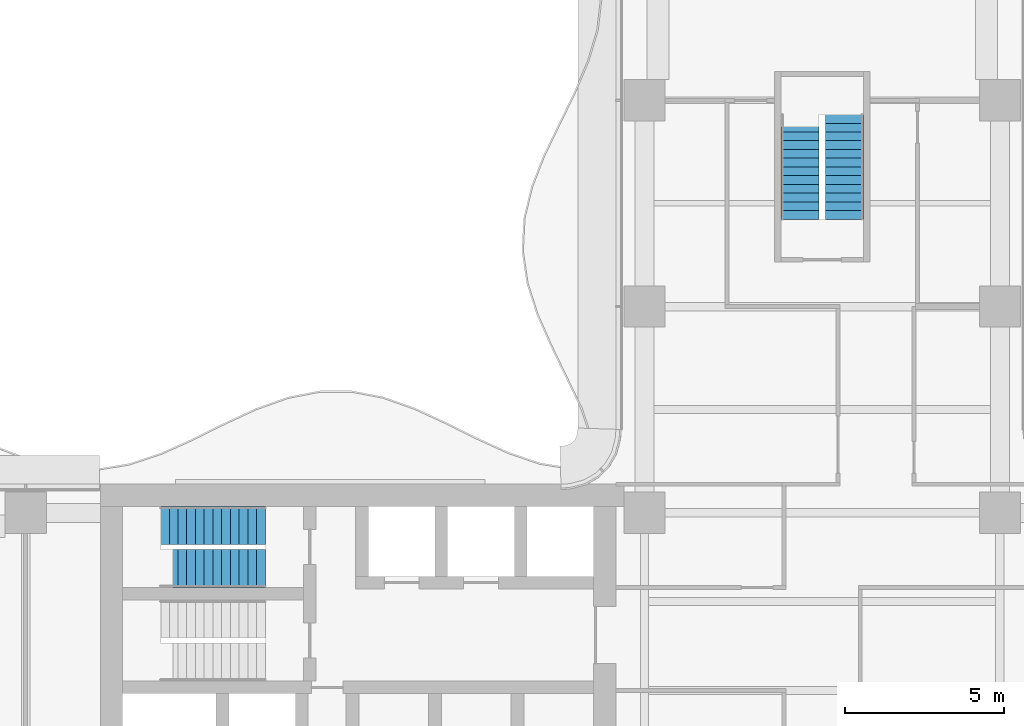
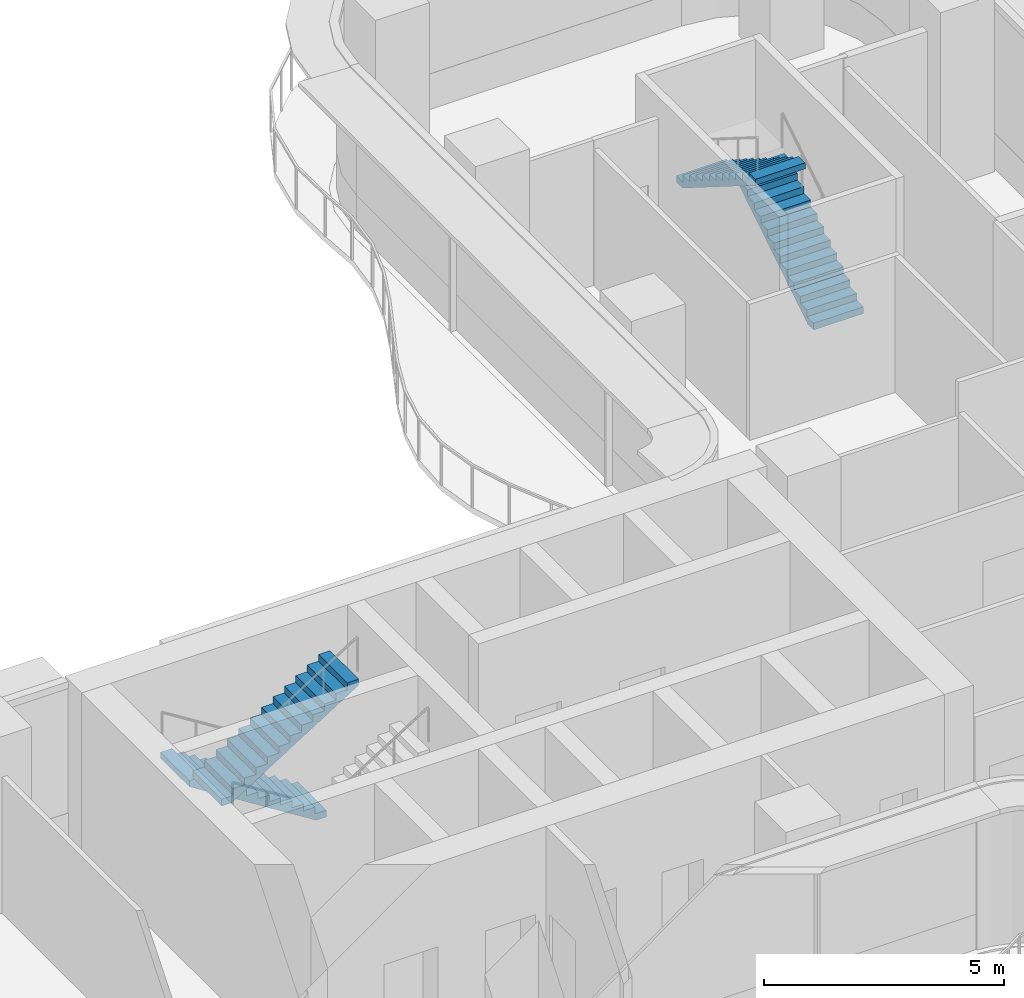
# One storey, part 19 of 21: 4 stair flights, 2 elements without a shape of their own.
"""IFC4 building model written with IfcOpenShell, lengths in metres."""

from ifc_helpers import new_model, si_unit, direction, frame, origin, place, context, subcontext, project, spatial, polyline, outline, extrude, source, transform, mapped, material, type_object, element, aggregate, save


model = new_model("IFC4")

# Units and contexts
model_context = context("Model", 3, precision=1e-05, world=origin(), true_north=direction((0.0, 1.0)))
body_context = subcontext(model_context, "Body", "Model", "MODEL_VIEW")
ifc_project = project(units=[si_unit("LENGTHUNIT", "METRE"), si_unit("AREAUNIT", "SQUARE_METRE"), si_unit("VOLUMEUNIT", "CUBIC_METRE"), si_unit("PLANEANGLEUNIT", "RADIAN"), si_unit("MASSUNIT", "GRAM", prefix="KILO")], contexts=[model_context])

# Site, building, storey
site_placement = place(None, origin())
site = spatial("IfcSite", under=ifc_project, at=site_placement, CompositionType="ELEMENT")
building_placement = place(site_placement, origin())
building = spatial("IfcBuilding", under=site, at=building_placement, Name="Trellis Farm Tower", CompositionType="ELEMENT")
storey_placement = place(building_placement, frame((0.0, 0.0, 102.0)))
storey = spatial("IfcBuildingStorey", under=building, at=storey_placement, Name="L21", CompositionType="ELEMENT", Elevation=102.0)

# Stair, stair flights
ifc_material = material(Name="Concrete C50/60", Category="concrete")
stair_type = type_object("IfcStairType", Name="CORE EXIT STAIR 26 RISERS 173 MM", PredefinedType="HALF_TURN_STAIR", material=ifc_material)
placement = place(storey_placement, origin())
stair_1 = element("IfcStair", 1, at=placement, inside=storey, type_object=stair_type, Name="Exit stair N", PredefinedType="HALF_TURN_STAIR")
stair_flight_type = type_object("IfcStairFlightType", Name="STAIR FLIGHT 13 RISERS 173 MM", PredefinedType="STRAIGHT", material=ifc_material)
shared_shape = source(origin(), body_context, "Body", "SweptSolid", [
    extrude(outline(polyline([(0.0, 0.0), (0.0, 0.173095703125), (0.27490234375, 0.173095703125), (0.27490234375, 0.34619140625), (0.550048828125, 0.34619140625), (0.550048828125, 0.519287109375), (0.824951171875, 0.519287109375), (0.824951171875, 0.6923828125), (1.10009765625, 0.6923828125), (1.10009765625, 0.865478515625), (1.375, 0.865478515625), (1.375, 1.03857421875), (1.64990234375, 1.03857421875), (1.64990234375, 1.21142578125), (1.925048828125, 1.21142578125), (1.925048828125, 1.384521484375), (2.199951171875, 1.384521484375), (2.199951171875, 1.5576171875), (2.47509765625, 1.5576171875), (2.47509765625, 1.730712890625), (2.75, 1.730712890625), (2.75, 1.90380859375), (3.02490234375, 1.90380859375), (3.02490234375, 2.076904296875), (3.300048828125, 2.076904296875), (3.300048828125, 2.25), (3.300048828125, 1.92333984375), (0.243896484375, 0.0), (0.0, 0.0)])), frame((0.0, 0.60009765625, 0.0), z_axis=(0.0, -1.0, 0.0), x_axis=(1.0, 0.0, 0.0)), (0.0, 0.0, 1.0), 1.199951171875),
])
stair_flight_1_placement = place(storey_placement, frame((0.699951171875, 14.85009765625, 0.0), z_axis=(0.0, 0.0, 1.0), x_axis=(0.0, 1.0, 0.0)))
stair_flight_1 = element("IfcStairFlight", 2, at=stair_flight_1_placement, type_object=stair_flight_type, Name="STN flight 1", NumberOfRisers=13, NumberOfTreads=12, PredefinedType="STRAIGHT", RiserHeight=0.173076923, TreadLength=0.275, context=body_context, shape_type="MappedRepresentation", body=[
    mapped(shared_shape, transform((0.0, 0.0, 0.0))),
])
stair_flight_2_placement = place(storey_placement, frame((-0.699951171875, 18.14990234375, 2.25), z_axis=(0.0, 0.0, 1.0), x_axis=(0.0, -1.0, 0.0)))
stair_flight_2 = element("IfcStairFlight", 3, at=stair_flight_2_placement, type_object=stair_flight_type, Name="STN flight 2", NumberOfRisers=13, NumberOfTreads=12, PredefinedType="STRAIGHT", RiserHeight=0.173076923, TreadLength=0.275, context=body_context, shape_type="MappedRepresentation", body=[
    mapped(shared_shape, transform((0.0, 0.0, 0.0))),
])
aggregate(stair_1, [stair_flight_1, stair_flight_2])

stair_2 = element("IfcStair", 4, at=placement, inside=storey, type_object=stair_type, Name="Exit stair W1", PredefinedType="HALF_TURN_STAIR")
stair_flight_3_placement = place(storey_placement, frame((-17.550048828125, 5.199951171875, 0.0), z_axis=(0.0, 0.0, 1.0), x_axis=(-1.0, 0.0, 0.0)))
stair_flight_3 = element("IfcStairFlight", 5, at=stair_flight_3_placement, type_object=stair_flight_type, Name="STW1 flight 1", NumberOfRisers=13, NumberOfTreads=12, PredefinedType="STRAIGHT", RiserHeight=0.173076923, TreadLength=0.275, context=body_context, shape_type="MappedRepresentation", body=[
    mapped(shared_shape, transform((0.0, 0.0, 0.0))),
])
stair_flight_4_placement = place(storey_placement, frame((-20.85009765625, 3.85009765625, 2.25), z_axis=(0.0, 0.0, 1.0), x_axis=(1.0, 0.0, 0.0)))
stair_flight_4 = element("IfcStairFlight", 6, at=stair_flight_4_placement, type_object=stair_flight_type, Name="STW1 flight 2", NumberOfRisers=13, NumberOfTreads=12, PredefinedType="STRAIGHT", RiserHeight=0.173076923, TreadLength=0.275, context=body_context, shape_type="MappedRepresentation", body=[
    mapped(shared_shape, transform((0.0, 0.0, 0.0))),
])
aggregate(stair_2, [stair_flight_3, stair_flight_4])

save(model, "model.ifc")
